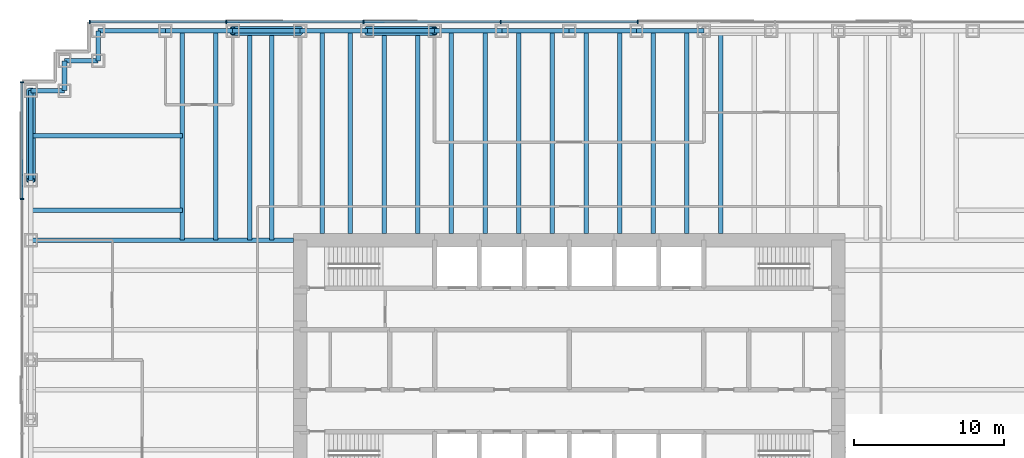
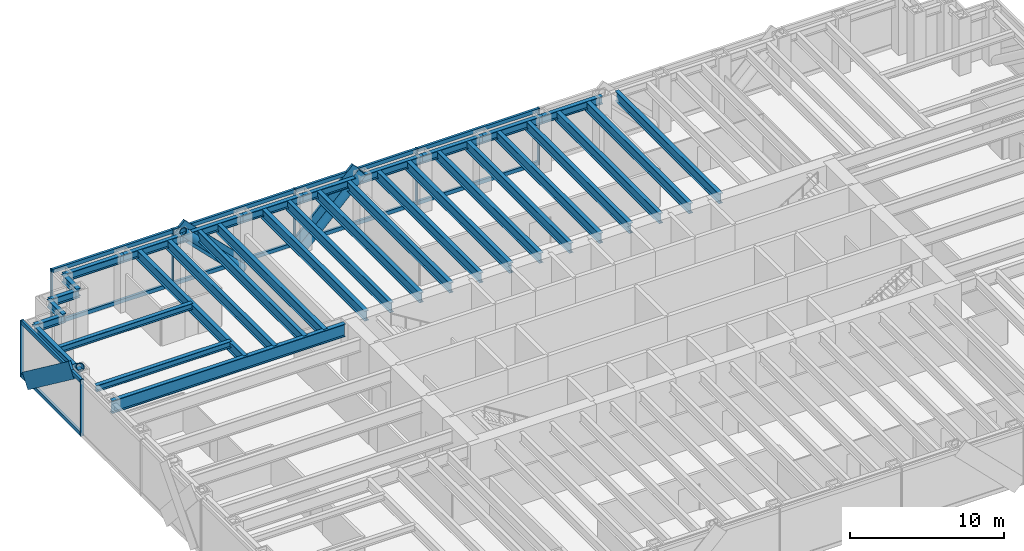
# One storey, part 5 of 13: 34 beams, 23 members, 2 elements without a shape of their own.
"""IFC4 building model written with IfcOpenShell, lengths in metres."""

from ifc_helpers import new_model, si_unit, direction, frame, origin, origin_2d, place, context, subcontext, project, spatial, rectangle, hollow_circle, i_section, extrude, material, material_profile, profile_set, type_object, element, aggregate, save


model = new_model("IFC4")

# Units and contexts
model_context = context("Model", 3, precision=1e-05, world=origin(), true_north=direction((0.0, 1.0)))
body_context = subcontext(model_context, "Body", "Model", "MODEL_VIEW")
ifc_project = project(units=[si_unit("LENGTHUNIT", "METRE"), si_unit("AREAUNIT", "SQUARE_METRE"), si_unit("VOLUMEUNIT", "CUBIC_METRE"), si_unit("PLANEANGLEUNIT", "RADIAN"), si_unit("MASSUNIT", "GRAM", prefix="KILO")], contexts=[model_context])

# Site, building, storey
site_placement = place(None, origin())
site = spatial("IfcSite", under=ifc_project, at=site_placement, CompositionType="ELEMENT")
building_placement = place(site_placement, origin())
building = spatial("IfcBuilding", under=site, at=building_placement, Name="Rheinbord Bourse Tower", CompositionType="ELEMENT")
storey_placement = place(building_placement, frame((0.0, 0.0, 81.5)))
storey = spatial("IfcBuildingStorey", under=building, at=storey_placement, Name="L17", CompositionType="ELEMENT", Elevation=81.5)

# Curtain wall, members
ifc_material_1 = material(Name="Dark glass and black aluminium", Category="aluminium")
curtain_wall_type = type_object("IfcCurtainWallType", Name="CW1 DARK GLASS CURTAIN WALL", PredefinedType="USERDEFINED", material=ifc_material_1)
curtain_wall_1_placement = place(storey_placement, origin())
curtain_wall_1 = element("IfcCurtainWall", 1, at=curtain_wall_1_placement, inside=storey, type_object=curtain_wall_type, Name="Curtain wall CW1 N L17", ObjectType="UNITISED CURTAIN WALL", PredefinedType="USERDEFINED")
ifc_material_2 = material(Name="Black anodised aluminium", Category="aluminium")
ifc_material_profile_1 = material_profile(ifc_material_2, rectangle(XDim=0.179931640625, YDim=1.2099609375, at=origin_2d()), Name="CW1 DIAGONAL MULLION 1210x180")
ifc_profile_set_1 = profile_set([ifc_material_profile_1], Name="Black anodised aluminium")
member_type_1 = type_object("IfcMemberType", Name="CW1 BLACK DIAGONAL MULLION", PredefinedType="USERDEFINED", material=ifc_profile_set_1)
member_1_placement = place(storey_placement, frame((22.5, 46.60009765625, 0.0), z_axis=(0.707106781187, 0.0, 0.707106781187), x_axis=(0.0, 1.0, 0.0)))
member_1 = element("IfcMember", 2, at=member_1_placement, type_object=member_type_1, Name="CW1 diagonal mullion b", ObjectType="DIAGONAL MULLION", PredefinedType="USERDEFINED", context=body_context, shape_type="SweptSolid", body=[
    extrude(rectangle(XDim=0.179931640625, YDim=1.2099609375, at=origin_2d()), origin(), (0.0, 0.0, 1.0), 6.364013671875),
])
member_2_placement = place(storey_placement, frame((18.0, 46.60009765625, 0.0), z_axis=(-0.707106781187, 0.0, 0.707106781187), x_axis=(0.0, -1.0, 0.0)))
member_2 = element("IfcMember", 3, at=member_2_placement, type_object=member_type_1, Name="CW1 diagonal mullion c", ObjectType="DIAGONAL MULLION", PredefinedType="USERDEFINED", context=body_context, shape_type="SweptSolid", body=[
    extrude(rectangle(XDim=0.179931640625, YDim=1.2099609375, at=origin_2d()), origin(), (0.0, 0.0, 1.0), 6.364013671875),
])

# Curtain wall, member
curtain_wall_2_placement = place(storey_placement, origin())
curtain_wall_2 = element("IfcCurtainWall", 4, at=curtain_wall_2_placement, inside=storey, type_object=curtain_wall_type, Name="Curtain wall CW1 W L17", ObjectType="UNITISED CURTAIN WALL", PredefinedType="USERDEFINED")
member_3_placement = place(storey_placement, frame((-0.60009765625, 42.0, 0.0), z_axis=(0.0, -0.8, 0.6), x_axis=(1.0, 0.0, 0.0)))
member_3 = element("IfcMember", 5, at=member_3_placement, type_object=member_type_1, Name="CW1 diagonal mullion b", ObjectType="DIAGONAL MULLION", PredefinedType="USERDEFINED", context=body_context, shape_type="SweptSolid", body=[
    extrude(rectangle(XDim=0.179931640625, YDim=1.2099609375, at=origin_2d()), origin(), (0.0, 0.0, 1.0), 7.5),
])

# Member
ifc_material_3 = material(Name="Black anodised aluminium", Category="aluminium")
ifc_material_profile_2 = material_profile(ifc_material_3, rectangle(XDim=0.25, YDim=0.080078125, at=origin_2d()), Name="CW1 MULLION 80x250")
ifc_profile_set_2 = profile_set([ifc_material_profile_2], Name="Black anodised aluminium")
member_type_2 = type_object("IfcMemberType", Name="CW1 BLACK MULLION", PredefinedType="MULLION", material=ifc_profile_set_2)
member_4_placement = place(storey_placement, frame((40.585693359375, 46.60009765625, 0.0), z_axis=(0.0, 0.0, 1.0), x_axis=(0.0, -1.0, 0.0)))
member_4 = element("IfcMember", 6, at=member_4_placement, type_object=member_type_2, Name="CW1 mullion 4", PredefinedType="MULLION", context=body_context, shape_type="SweptSolid", body=[
    extrude(rectangle(XDim=0.25, YDim=0.080078125, at=origin_2d()), origin(), (0.0, 0.0, 1.0), 4.5),
])

member_5_placement = place(storey_placement, frame((31.414306640625, 46.60009765625, 0.0), z_axis=(0.0, 0.0, 1.0), x_axis=(0.0, -1.0, 0.0)))
member_5 = element("IfcMember", 7, at=member_5_placement, type_object=member_type_2, Name="CW1 mullion 5", PredefinedType="MULLION", context=body_context, shape_type="SweptSolid", body=[
    extrude(rectangle(XDim=0.25, YDim=0.080078125, at=origin_2d()), origin(), (0.0, 0.0, 1.0), 4.5),
])

member_6_placement = place(storey_placement, frame((22.242919921875, 46.60009765625, 0.0), z_axis=(0.0, 0.0, 1.0), x_axis=(0.0, -1.0, 0.0)))
member_6 = element("IfcMember", 8, at=member_6_placement, type_object=member_type_2, Name="CW1 mullion 6", PredefinedType="MULLION", context=body_context, shape_type="SweptSolid", body=[
    extrude(rectangle(XDim=0.25, YDim=0.080078125, at=origin_2d()), origin(), (0.0, 0.0, 1.0), 4.5),
])

member_7_placement = place(storey_placement, frame((13.071533203125, 46.60009765625, 0.0), z_axis=(0.0, 0.0, 1.0), x_axis=(0.0, -1.0, 0.0)))
member_7 = element("IfcMember", 9, at=member_7_placement, type_object=member_type_2, Name="CW1 mullion 7", PredefinedType="MULLION", context=body_context, shape_type="SweptSolid", body=[
    extrude(rectangle(XDim=0.25, YDim=0.080078125, at=origin_2d()), origin(), (0.0, 0.0, 1.0), 4.5),
])

member_8_placement = place(storey_placement, frame((3.93994140625, 46.60009765625, 0.0), z_axis=(0.0, 0.0, 1.0), x_axis=(0.0, -1.0, 0.0)))
member_8 = element("IfcMember", 10, at=member_8_placement, type_object=member_type_2, Name="CW1 mullion 8", PredefinedType="MULLION", context=body_context, shape_type="SweptSolid", body=[
    extrude(rectangle(XDim=0.25, YDim=0.080078125, at=origin_2d()), origin(), (0.0, 0.0, 1.0), 4.5),
])

member_9_placement = place(storey_placement, frame((-0.60009765625, 42.56005859375, 0.0), z_axis=(0.0, 0.0, 1.0), x_axis=(1.0, 0.0, 0.0)))
member_9 = element("IfcMember", 11, at=member_9_placement, type_object=member_type_2, Name="CW1 mullion 1", PredefinedType="MULLION", context=body_context, shape_type="SweptSolid", body=[
    extrude(rectangle(XDim=0.25, YDim=0.080078125, at=origin_2d()), origin(), (0.0, 0.0, 1.0), 4.5),
])

member_10_placement = place(storey_placement, frame((-0.60009765625, 34.760009765625, 0.0), z_axis=(0.0, 0.0, 1.0), x_axis=(1.0, 0.0, 0.0)))
member_10 = element("IfcMember", 12, at=member_10_placement, type_object=member_type_2, Name="CW1 mullion 2", PredefinedType="MULLION", context=body_context, shape_type="SweptSolid", body=[
    extrude(rectangle(XDim=0.25, YDim=0.080078125, at=origin_2d()), origin(), (0.0, 0.0, 1.0), 4.5),
])

ifc_material_4 = material(Name="Black anodised aluminium", Category="aluminium")
ifc_material_profile_3 = material_profile(ifc_material_4, rectangle(XDim=0.179931640625, YDim=0.300048828125, at=origin_2d()), Name="CW1 TRANSOM 300x180")
ifc_profile_set_3 = profile_set([ifc_material_profile_3], Name="Black anodised aluminium")
member_type_3 = type_object("IfcMemberType", Name="CW1 BLACK TRANSOM", PredefinedType="USERDEFINED", material=ifc_profile_set_3)
member_11_placement = place(storey_placement, frame((40.545654296875, 46.60009765625, 0.14990234375), z_axis=(-1.0, 0.0, 0.0), x_axis=(0.0, -1.0, 0.0)))
member_11 = element("IfcMember", 13, at=member_11_placement, type_object=member_type_3, Name="CW1 transom 4.1", ObjectType="TRANSOM", PredefinedType="USERDEFINED", context=body_context, shape_type="SweptSolid", body=[
    extrude(rectangle(XDim=0.179931640625, YDim=0.300048828125, at=origin_2d()), origin(), (0.0, 0.0, 1.0), 9.09130859375),
])

member_12_placement = place(storey_placement, frame((40.545654296875, 46.60009765625, 4.35009765625), z_axis=(-1.0, 0.0, 0.0), x_axis=(0.0, -1.0, 0.0)))
member_12 = element("IfcMember", 14, at=member_12_placement, type_object=member_type_3, Name="CW1 transom 4.2", ObjectType="TRANSOM", PredefinedType="USERDEFINED", context=body_context, shape_type="SweptSolid", body=[
    extrude(rectangle(XDim=0.179931640625, YDim=0.300048828125, at=origin_2d()), origin(), (0.0, 0.0, 1.0), 9.09130859375),
])

member_13_placement = place(storey_placement, frame((31.374267578125, 46.60009765625, 0.14990234375), z_axis=(-1.0, 0.0, 0.0), x_axis=(0.0, -1.0, 0.0)))
member_13 = element("IfcMember", 15, at=member_13_placement, type_object=member_type_3, Name="CW1 transom 5.1", ObjectType="TRANSOM", PredefinedType="USERDEFINED", context=body_context, shape_type="SweptSolid", body=[
    extrude(rectangle(XDim=0.179931640625, YDim=0.300048828125, at=origin_2d()), origin(), (0.0, 0.0, 1.0), 9.09130859375),
])

member_14_placement = place(storey_placement, frame((31.374267578125, 46.60009765625, 4.35009765625), z_axis=(-1.0, 0.0, 0.0), x_axis=(0.0, -1.0, 0.0)))
member_14 = element("IfcMember", 16, at=member_14_placement, type_object=member_type_3, Name="CW1 transom 5.2", ObjectType="TRANSOM", PredefinedType="USERDEFINED", context=body_context, shape_type="SweptSolid", body=[
    extrude(rectangle(XDim=0.179931640625, YDim=0.300048828125, at=origin_2d()), origin(), (0.0, 0.0, 1.0), 9.09130859375),
])

member_15_placement = place(storey_placement, frame((22.202880859375, 46.60009765625, 0.14990234375), z_axis=(-1.0, 0.0, 0.0), x_axis=(0.0, -1.0, 0.0)))
member_15 = element("IfcMember", 17, at=member_15_placement, type_object=member_type_3, Name="CW1 transom 6.1", ObjectType="TRANSOM", PredefinedType="USERDEFINED", context=body_context, shape_type="SweptSolid", body=[
    extrude(rectangle(XDim=0.179931640625, YDim=0.300048828125, at=origin_2d()), origin(), (0.0, 0.0, 1.0), 9.091552734375),
])

member_16_placement = place(storey_placement, frame((22.202880859375, 46.60009765625, 4.35009765625), z_axis=(-1.0, 0.0, 0.0), x_axis=(0.0, -1.0, 0.0)))
member_16 = element("IfcMember", 18, at=member_16_placement, type_object=member_type_3, Name="CW1 transom 6.2", ObjectType="TRANSOM", PredefinedType="USERDEFINED", context=body_context, shape_type="SweptSolid", body=[
    extrude(rectangle(XDim=0.179931640625, YDim=0.300048828125, at=origin_2d()), origin(), (0.0, 0.0, 1.0), 9.091552734375),
])

member_17_placement = place(storey_placement, frame((13.031494140625, 46.60009765625, 0.14990234375), z_axis=(-1.0, 0.0, 0.0), x_axis=(0.0, -1.0, 0.0)))
member_17 = element("IfcMember", 19, at=member_17_placement, type_object=member_type_3, Name="CW1 transom 7.1", ObjectType="TRANSOM", PredefinedType="USERDEFINED", context=body_context, shape_type="SweptSolid", body=[
    extrude(rectangle(XDim=0.179931640625, YDim=0.300048828125, at=origin_2d()), origin(), (0.0, 0.0, 1.0), 9.051513671875),
])

member_18_placement = place(storey_placement, frame((13.031494140625, 46.60009765625, 4.35009765625), z_axis=(-1.0, 0.0, 0.0), x_axis=(0.0, -1.0, 0.0)))
member_18 = element("IfcMember", 20, at=member_18_placement, type_object=member_type_3, Name="CW1 transom 7.2", ObjectType="TRANSOM", PredefinedType="USERDEFINED", context=body_context, shape_type="SweptSolid", body=[
    extrude(rectangle(XDim=0.179931640625, YDim=0.300048828125, at=origin_2d()), origin(), (0.0, 0.0, 1.0), 9.051513671875),
])

aggregate(curtain_wall_1, [member_4, member_5, member_6, member_7, member_8, member_11, member_12, member_13, member_14, member_15, member_16, member_17, member_18, member_1, member_2])

member_19_placement = place(storey_placement, frame((-0.60009765625, 42.52001953125, 0.14990234375), z_axis=(0.0, -1.0, 0.0), x_axis=(1.0, 0.0, 0.0)))
member_19 = element("IfcMember", 21, at=member_19_placement, type_object=member_type_3, Name="CW1 transom 1.1", ObjectType="TRANSOM", PredefinedType="USERDEFINED", context=body_context, shape_type="SweptSolid", body=[
    extrude(rectangle(XDim=0.179931640625, YDim=0.300048828125, at=origin_2d()), origin(), (0.0, 0.0, 1.0), 7.719970703125),
])

member_20_placement = place(storey_placement, frame((-0.60009765625, 42.52001953125, 4.35009765625), z_axis=(0.0, -1.0, 0.0), x_axis=(1.0, 0.0, 0.0)))
member_20 = element("IfcMember", 22, at=member_20_placement, type_object=member_type_3, Name="CW1 transom 1.2", ObjectType="TRANSOM", PredefinedType="USERDEFINED", context=body_context, shape_type="SweptSolid", body=[
    extrude(rectangle(XDim=0.179931640625, YDim=0.300048828125, at=origin_2d()), origin(), (0.0, 0.0, 1.0), 7.719970703125),
])

aggregate(curtain_wall_2, [member_9, member_10, member_19, member_20, member_3])

# Beams
ifc_material_5 = material(Name="Steel S460", Category="steel")
ifc_material_profile_4 = material_profile(ifc_material_5, i_section(OverallWidth=0.300048828125, OverallDepth=0.800048828125, WebThickness=0.017578125, FlangeThickness=0.032958984375, at=origin_2d()), Name="HEB 800")
ifc_profile_set_4 = profile_set([ifc_material_profile_4], Name="Steel S460")
beam_type_1 = type_object("IfcBeamType", Name="FLOOR BEAM HEB 800", PredefinedType="BEAM", material=ifc_profile_set_4)
for number, where, z_axis, x_axis, name in (
    (23, (10.125, 46.0, 3.919921875), (0.0, -1.0, 0.0), (1.0, 0.0, 0.0), "Floor beam N-9a L18"),
    (24, (12.375, 46.0, 3.919921875), (0.0, -1.0, 0.0), (1.0, 0.0, 0.0), "Floor beam N-9b L18"),
    (25, (14.625, 46.0, 3.919921875), (0.0, -1.0, 0.0), (1.0, 0.0, 0.0), "Floor beam N-13.5a L18"),
    (26, (16.125, 46.0, 3.919921875), (0.0, -1.0, 0.0), (1.0, 0.0, 0.0), "Floor beam N-13.5b L18"),
):
    element("IfcBeam", number, at=place(storey_placement, frame(where, z_axis=z_axis, x_axis=x_axis)), inside=storey, type_object=beam_type_1, Name=name, PredefinedType="BEAM", context=body_context, shape_type="SweptSolid", body=[
        extrude(i_section(OverallWidth=0.300048828125, OverallDepth=0.800048828125, WebThickness=0.017578125, FlangeThickness=0.032958984375, at=origin_2d()), origin(), (0.0, 0.0, 1.0), 14.0),
    ])
for number, where, z_axis, x_axis, name in (
    (27, (19.5, 46.0, 3.919921875), (0.0, -1.0, 0.0), (1.0, 0.0, 0.0), "Floor beam N-18a L18"),
    (28, (21.375, 46.0, 3.919921875), (0.0, -1.0, 0.0), (1.0, 0.0, 0.0), "Floor beam N-18b L18"),
    (29, (23.625, 46.0, 3.919921875), (0.0, -1.0, 0.0), (1.0, 0.0, 0.0), "Floor beam N-22.5a L18"),
    (30, (25.875, 46.0, 3.919921875), (0.0, -1.0, 0.0), (1.0, 0.0, 0.0), "Floor beam N-22.5b L18"),
    (31, (28.125, 46.0, 3.919921875), (0.0, -1.0, 0.0), (1.0, 0.0, 0.0), "Floor beam N-27a L18"),
    (32, (30.375, 46.0, 3.919921875), (0.0, -1.0, 0.0), (1.0, 0.0, 0.0), "Floor beam N-27b L18"),
    (33, (32.625, 46.0, 3.919921875), (0.0, -1.0, 0.0), (1.0, 0.0, 0.0), "Floor beam N-31.5a L18"),
    (34, (34.875, 46.0, 3.919921875), (0.0, -1.0, 0.0), (1.0, 0.0, 0.0), "Floor beam N-31.5b L18"),
    (35, (37.125, 46.0, 3.919921875), (0.0, -1.0, 0.0), (1.0, 0.0, 0.0), "Floor beam N-36a L18"),
    (36, (39.375, 46.0, 3.919921875), (0.0, -1.0, 0.0), (1.0, 0.0, 0.0), "Floor beam N-36b L18"),
    (37, (41.625, 46.0, 3.919921875), (0.0, -1.0, 0.0), (1.0, 0.0, 0.0), "Floor beam N-40.5a L18"),
    (38, (43.875, 46.0, 3.919921875), (0.0, -1.0, 0.0), (1.0, 0.0, 0.0), "Floor beam N-40.5b L18"),
    (39, (46.125, 46.0, 3.919921875), (0.0, -1.0, 0.0), (1.0, 0.0, 0.0), "Floor beam N-45a L18"),
):
    element("IfcBeam", number, at=place(storey_placement, frame(where, z_axis=z_axis, x_axis=x_axis)), inside=storey, type_object=beam_type_1, Name=name, PredefinedType="BEAM", context=body_context, shape_type="SweptSolid", body=[
        extrude(i_section(OverallWidth=0.300048828125, OverallDepth=0.800048828125, WebThickness=0.017578125, FlangeThickness=0.032958984375, at=origin_2d()), origin(), (0.0, 0.0, 1.0), 13.550048828125),
    ])
ifc_material_6 = material(Name="Steel S460", Category="steel")
ifc_material_profile_5 = material_profile(ifc_material_6, i_section(OverallWidth=0.302001953125, OverallDepth=1.008056640625, WebThickness=0.02099609375, FlangeThickness=0.0400390625, at=origin_2d()), Name="HEM 1000")
ifc_profile_set_5 = profile_set([ifc_material_profile_5], Name="Steel S460")
beam_type_2 = type_object("IfcBeamType", Name="GIRDER HEM 1000", PredefinedType="BEAM", material=ifc_profile_set_5)
beam_1_placement = place(storey_placement, frame((0.0, 32.0, 3.81591796875), z_axis=(1.0, 0.0, 0.0), x_axis=(0.0, 1.0, 0.0)))
element("IfcBeam", 40, at=beam_1_placement, inside=storey, type_object=beam_type_2, Name="Girder west 32 L18", PredefinedType="BEAM", context=body_context, shape_type="SweptSolid", body=[
    extrude(i_section(OverallWidth=0.302001953125, OverallDepth=1.008056640625, WebThickness=0.02099609375, FlangeThickness=0.0400390625, at=origin_2d()), origin(), (0.0, 0.0, 1.0), 17.550048828125),
])

# Members
ifc_material_7 = material(Name="Steel S460", Category="steel")
ifc_material_profile_6 = material_profile(ifc_material_7, hollow_circle(Radius=0.304931640625, WallThickness=0.050048828125, at=origin_2d()), Name="CHS 610x50")
ifc_profile_set_6 = profile_set([ifc_material_profile_6], Name="Steel S460")
member_type_4 = type_object("IfcMemberType", Name="MEGABRACE CHS 610x50", PredefinedType="BRACE", material=ifc_profile_set_6)
for number, where, z_axis, x_axis, name in (
    (41, (22.5, 46.0, 0.0), (0.707106781187, 0.0, 0.707106781187), (0.0, 1.0, 0.0), "Megabrace N face line b L17"),
    (42, (18.0, 46.0, 0.0), (-0.707106781187, 0.0, 0.707106781187), (0.0, -1.0, 0.0), "Megabrace N face line c L17"),
):
    element("IfcMember", number, at=place(storey_placement, frame(where, z_axis=z_axis, x_axis=x_axis)), inside=storey, type_object=member_type_4, Name=name, PredefinedType="BRACE", context=body_context, shape_type="SweptSolid", body=[
        extrude(hollow_circle(Radius=0.304931640625, WallThickness=0.050048828125, at=origin_2d()), origin(), (0.0, 0.0, 1.0), 6.364013671875),
    ])
member_21_placement = place(storey_placement, frame((0.0, 42.0, 0.0), z_axis=(0.0, -0.8, 0.6), x_axis=(1.0, 0.0, 0.0)))
element("IfcMember", 43, at=member_21_placement, inside=storey, type_object=member_type_4, Name="Megabrace W face line b L17", PredefinedType="BRACE", context=body_context, shape_type="SweptSolid", body=[
    extrude(hollow_circle(Radius=0.304931640625, WallThickness=0.050048828125, at=origin_2d()), origin(), (0.0, 0.0, 1.0), 7.5),
])

# Beams
ifc_material_8 = material(Name="Steel S460", Category="steel")
ifc_material_profile_7 = material_profile(ifc_material_8, i_section(OverallWidth=0.304931640625, OverallDepth=0.6201171875, WebThickness=0.02099609375, FlangeThickness=0.0400390625, at=origin_2d()), Name="HEM 600")
ifc_profile_set_7 = profile_set([ifc_material_profile_7], Name="Steel S460")
beam_type_3 = type_object("IfcBeamType", Name="SPANDREL HEM 600", PredefinedType="SPANDREL", material=ifc_profile_set_7)
for number, where, z_axis, x_axis, name in (
    (44, (45.0, 46.0, 4.010009765625), (-1.0, 0.0, 0.0), (0.0, -1.0, 0.0), "Spandrel N-45-N-40.5 under L18"),
    (45, (40.5, 46.0, 4.010009765625), (-1.0, 0.0, 0.0), (0.0, -1.0, 0.0), "Spandrel N-40.5-N-36 under L18"),
    (46, (36.0, 46.0, 4.010009765625), (-1.0, 0.0, 0.0), (0.0, -1.0, 0.0), "Spandrel N-36-N-31.5 under L18"),
    (47, (31.5, 46.0, 4.010009765625), (-1.0, 0.0, 0.0), (0.0, -1.0, 0.0), "Spandrel N-31.5-N-27 under L18"),
    (48, (27.0, 46.0, 4.010009765625), (-1.0, 0.0, 0.0), (0.0, -1.0, 0.0), "Spandrel N-27-N-22.5 under L18"),
    (49, (22.5, 46.0, 4.010009765625), (-1.0, 0.0, 0.0), (0.0, -1.0, 0.0), "Spandrel N-22.5-N-18 under L18"),
    (50, (18.0, 46.0, 4.010009765625), (-1.0, 0.0, 0.0), (0.0, -1.0, 0.0), "Spandrel N-18-N-13.5 under L18"),
    (51, (13.5, 46.0, 4.010009765625), (-1.0, 0.0, 0.0), (0.0, -1.0, 0.0), "Spandrel N-13.5-N-9 under L18"),
    (52, (9.0, 46.0, 4.010009765625), (-1.0, 0.0, 0.0), (0.0, -1.0, 0.0), "Spandrel N-9-NW-E under L18"),
):
    element("IfcBeam", number, at=place(storey_placement, frame(where, z_axis=z_axis, x_axis=x_axis)), inside=storey, type_object=beam_type_3, Name=name, PredefinedType="SPANDREL", context=body_context, shape_type="SweptSolid", body=[
        extrude(i_section(OverallWidth=0.304931640625, OverallDepth=0.6201171875, WebThickness=0.02099609375, FlangeThickness=0.0400390625, at=origin_2d()), origin(), (0.0, 0.0, 1.0), 4.5),
    ])
beam_2_placement = place(storey_placement, frame((4.5, 46.0, 4.010009765625), z_axis=(0.0, -1.0, 0.0), x_axis=(1.0, 0.0, 0.0)))
element("IfcBeam", 53, at=beam_2_placement, inside=storey, type_object=beam_type_3, Name="Spandrel NW-E-NW-D under L18", PredefinedType="SPANDREL", context=body_context, shape_type="SweptSolid", body=[
    extrude(i_section(OverallWidth=0.304931640625, OverallDepth=0.6201171875, WebThickness=0.02099609375, FlangeThickness=0.0400390625, at=origin_2d()), origin(), (0.0, 0.0, 1.0), 2.0),
])
beam_3_placement = place(storey_placement, frame((4.5, 44.0, 4.010009765625), z_axis=(-1.0, 0.0, 0.0), x_axis=(0.0, -1.0, 0.0)))
element("IfcBeam", 54, at=beam_3_placement, inside=storey, type_object=beam_type_3, Name="Spandrel NW-D-NW-C under L18", PredefinedType="SPANDREL", context=body_context, shape_type="SweptSolid", body=[
    extrude(i_section(OverallWidth=0.304931640625, OverallDepth=0.6201171875, WebThickness=0.02099609375, FlangeThickness=0.0400390625, at=origin_2d()), origin(), (0.0, 0.0, 1.0), 2.25),
])
beam_4_placement = place(storey_placement, frame((2.25, 44.0, 4.010009765625), z_axis=(0.0, -1.0, 0.0), x_axis=(1.0, 0.0, 0.0)))
element("IfcBeam", 55, at=beam_4_placement, inside=storey, type_object=beam_type_3, Name="Spandrel NW-C-NW-B under L18", PredefinedType="SPANDREL", context=body_context, shape_type="SweptSolid", body=[
    extrude(i_section(OverallWidth=0.304931640625, OverallDepth=0.6201171875, WebThickness=0.02099609375, FlangeThickness=0.0400390625, at=origin_2d()), origin(), (0.0, 0.0, 1.0), 2.0),
])
beam_5_placement = place(storey_placement, frame((2.25, 42.0, 4.010009765625), z_axis=(-1.0, 0.0, 0.0), x_axis=(0.0, -1.0, 0.0)))
element("IfcBeam", 56, at=beam_5_placement, inside=storey, type_object=beam_type_3, Name="Spandrel NW-B-NW-A under L18", PredefinedType="SPANDREL", context=body_context, shape_type="SweptSolid", body=[
    extrude(i_section(OverallWidth=0.304931640625, OverallDepth=0.6201171875, WebThickness=0.02099609375, FlangeThickness=0.0400390625, at=origin_2d()), origin(), (0.0, 0.0, 1.0), 2.25),
])
beam_6_placement = place(storey_placement, frame((0.0, 42.0, 4.010009765625), z_axis=(0.0, -1.0, 0.0), x_axis=(1.0, 0.0, 0.0)))
element("IfcBeam", 57, at=beam_6_placement, inside=storey, type_object=beam_type_3, Name="Spandrel NW-A-W-36 under L18", PredefinedType="SPANDREL", context=body_context, shape_type="SweptSolid", body=[
    extrude(i_section(OverallWidth=0.304931640625, OverallDepth=0.6201171875, WebThickness=0.02099609375, FlangeThickness=0.0400390625, at=origin_2d()), origin(), (0.0, 0.0, 1.0), 6.0),
])
ifc_material_9 = material(Name="Steel S460", Category="steel")
ifc_material_profile_8 = material_profile(ifc_material_9, i_section(OverallWidth=0.300048828125, OverallDepth=0.5, WebThickness=0.014404296875, FlangeThickness=0.028076171875, at=origin_2d()), Name="HEB 500")
ifc_profile_set_8 = profile_set([ifc_material_profile_8], Name="Steel S460")
beam_type_4 = type_object("IfcBeamType", Name="TIE BEAM HEB 500", PredefinedType="JOIST", material=ifc_profile_set_8)
for number, where, z_axis, x_axis, name in (
    (58, (0.0, 34.0, 4.070068359375), (1.0, 0.0, 0.0), (0.0, 1.0, 0.0), "Tie west 34 L18"),
    (59, (0.0, 39.0, 4.070068359375), (1.0, 0.0, 0.0), (0.0, 1.0, 0.0), "Tie west 39 L18"),
):
    element("IfcBeam", number, at=place(storey_placement, frame(where, z_axis=z_axis, x_axis=x_axis)), inside=storey, type_object=beam_type_4, Name=name, PredefinedType="JOIST", context=body_context, shape_type="SweptSolid", body=[
        extrude(i_section(OverallWidth=0.300048828125, OverallDepth=0.5, WebThickness=0.014404296875, FlangeThickness=0.028076171875, at=origin_2d()), origin(), (0.0, 0.0, 1.0), 10.125),
    ])

save(model, "model.ifc")
